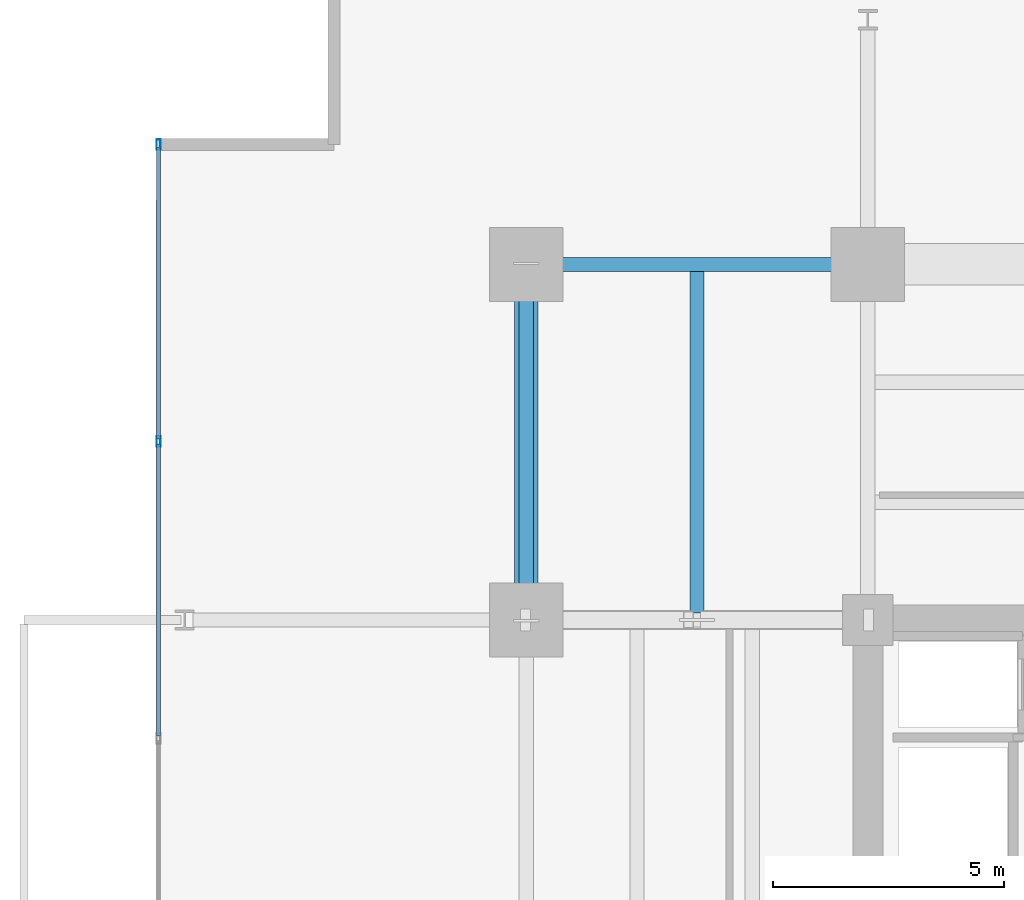
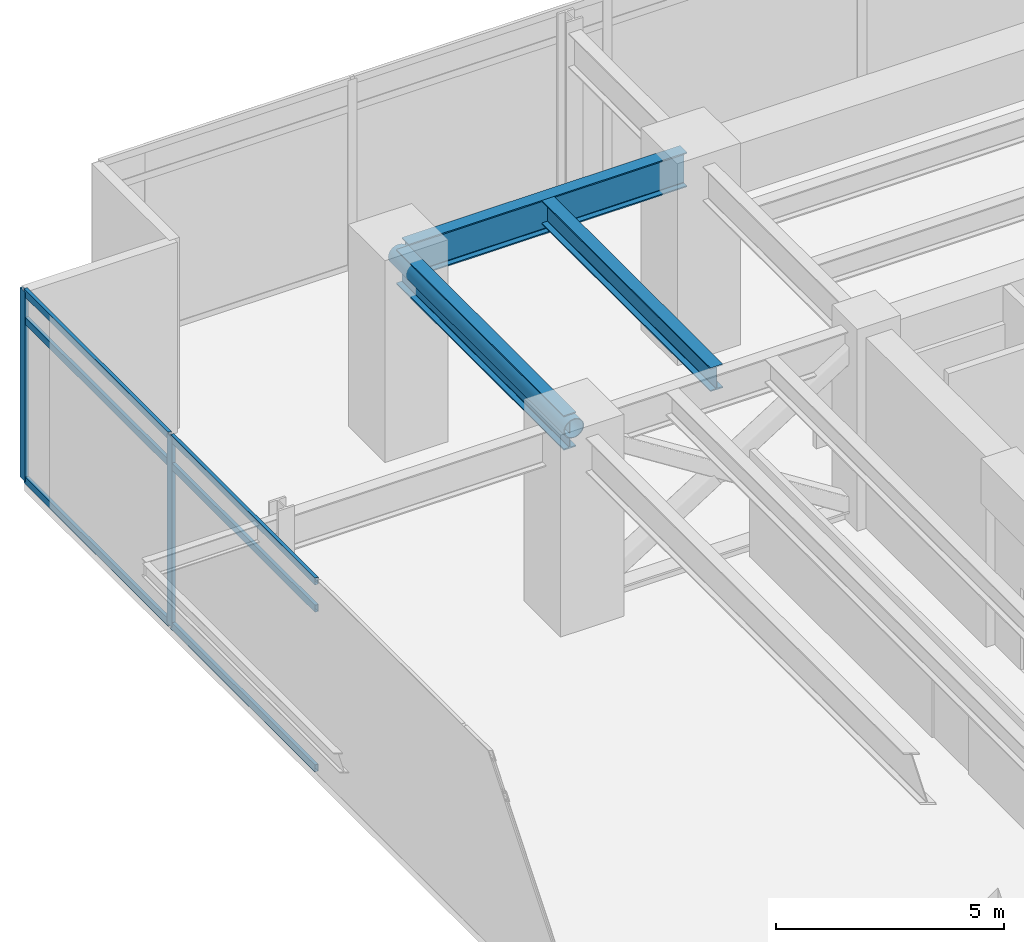
# One storey, part 14 of 26: 9 members, 3 beams, 1 element without a shape of its own.
"""IFC4 building model written with IfcOpenShell, lengths in metres."""

from ifc_helpers import new_model, si_unit, direction, frame, origin, origin_2d, place, context, subcontext, project, spatial, hollow_rectangle, hollow_circle, i_section, extrude, material, material_profile, profile_set, type_object, element, aggregate, save


model = new_model("IFC4")

# Units and contexts
model_context = context("Model", 3, precision=1e-05, world=origin(), true_north=direction((0.0, 1.0)))
body_context = subcontext(model_context, "Body", "Model", "MODEL_VIEW")
ifc_project = project(units=[si_unit("LENGTHUNIT", "METRE"), si_unit("AREAUNIT", "SQUARE_METRE"), si_unit("VOLUMEUNIT", "CUBIC_METRE"), si_unit("PLANEANGLEUNIT", "RADIAN"), si_unit("MASSUNIT", "GRAM", prefix="KILO")], contexts=[model_context])

# Site, building, storey
site_placement = place(None, origin())
site = spatial("IfcSite", under=ifc_project, at=site_placement, CompositionType="ELEMENT")
building_placement = place(site_placement, origin())
building = spatial("IfcBuilding", under=site, at=building_placement, Name="Kovane Verandah Tower", CompositionType="ELEMENT")
storey_placement = place(building_placement, frame((0.0, 0.0, 113.0)))
storey = spatial("IfcBuildingStorey", under=building, at=storey_placement, Name="L26", CompositionType="ELEMENT", Elevation=113.0)

# Beams
ifc_material_1 = material(Name="Steel S460", Category="steel")
ifc_material_profile_1 = material_profile(ifc_material_1, i_section(OverallWidth=0.311279296875, OverallDepth=0.6357421875, WebThickness=0.018310546875, FlangeThickness=0.031494140625, FilletRadius=0.0166015625, at=origin_2d()), Name="UB610x305x238")
ifc_profile_set_1 = profile_set([ifc_material_profile_1], Name="Steel S460")
beam_type_1 = type_object("IfcBeamType", Name="BM-UB610x238", PredefinedType="BEAM", material=ifc_profile_set_1)
beam_1_placement = place(storey_placement, frame((25.300048828125, 36.65185546875, 4.781982421875), z_axis=(0.0, 1.0, 0.0), x_axis=(-1.0, 0.0, 0.0)))
element("IfcBeam", 1, at=beam_1_placement, inside=storey, type_object=beam_type_1, Name="L26 Secondary Composite Joist J-NW1", PredefinedType="BEAM", context=body_context, shape_type="SweptSolid", body=[
    extrude(i_section(OverallWidth=0.311279296875, OverallDepth=0.6357421875, WebThickness=0.018310546875, FlangeThickness=0.031494140625, FilletRadius=0.0166015625, at=origin_2d()), origin(), (0.0, 0.0, 1.0), 7.396240234375),
])
ifc_material_profile_2 = material_profile(ifc_material_1, i_section(OverallWidth=0.3076171875, OverallDepth=0.926513671875, WebThickness=0.01953125, FlangeThickness=0.031982421875, FilletRadius=0.01904296875, at=origin_2d()), Name="UB914x305x289")
ifc_profile_set_2 = profile_set([ifc_material_profile_2], Name="Steel S460")
beam_type_2 = type_object("IfcBeamType", Name="BM-UB914x289", PredefinedType="BEAM", material=ifc_profile_set_2)
beam_2_placement = place(storey_placement, frame((21.780029296875, 44.199951171875, 4.63671875), z_axis=(1.0, 0.0, 0.0), x_axis=(0.0, 1.0, 0.0)))
element("IfcBeam", 2, at=beam_2_placement, inside=storey, type_object=beam_type_2, Name="L26 Primary Tower Girder G-RN1", PredefinedType="BEAM", context=body_context, shape_type="SweptSolid", body=[
    extrude(i_section(OverallWidth=0.3076171875, OverallDepth=0.926513671875, WebThickness=0.01953125, FlangeThickness=0.031982421875, FilletRadius=0.01904296875, at=origin_2d()), origin(), (0.0, 0.0, 1.0), 7.0400390625),
])
beam_3_placement = place(storey_placement, frame((21.60009765625, 36.679931640625, 4.63671875), z_axis=(0.0, 1.0, 0.0), x_axis=(-1.0, 0.0, 0.0)))
element("IfcBeam", 3, at=beam_3_placement, inside=storey, type_object=beam_type_2, Name="L26 Primary Tower Girder G-RW3", PredefinedType="BEAM", context=body_context, shape_type="SweptSolid", body=[
    extrude(i_section(OverallWidth=0.3076171875, OverallDepth=0.926513671875, WebThickness=0.01953125, FlangeThickness=0.031982421875, FilletRadius=0.01904296875, at=origin_2d()), origin(), (0.0, 0.0, 1.0), 7.340087890625),
])

# Curtain wall, members
ifc_material_2 = material(Name="Champagne Anodised Aluminium Frame with Low-E Clear Laminated Glass", Category="aluminium")
curtain_wall_type = type_object("IfcCurtainWallType", Name="CW-SYS-02-LOW", PredefinedType="NOTDEFINED", material=ifc_material_2)
curtain_wall_placement = place(storey_placement, origin())
curtain_wall = element("IfcCurtainWall", 4, at=curtain_wall_placement, inside=storey, type_object=curtain_wall_type, Name="L26 W Unitised Curtain Wall", PredefinedType="NOTDEFINED")
ifc_material_3 = material(Name="Champagne Anodised Aluminium 6063-T6", Category="aluminium")
ifc_material_profile_3 = material_profile(ifc_material_3, hollow_rectangle(XDim=0.0849609375, YDim=0.22998046875, WallThickness=0.00390625, at=origin_2d()), Name="AL85x230x4")
ifc_profile_set_3 = profile_set([ifc_material_profile_3], Name="Champagne Anodised Aluminium 6063-T6")
member_type_1 = type_object("IfcMemberType", Name="CW-MUL-85x230", PredefinedType="MULLION", material=ifc_profile_set_3)
member_1_placement = place(storey_placement, frame((13.635986328125, 46.794921875, 0.02001953125), z_axis=(0.0, 0.0, 1.0), x_axis=(-1.0, 0.0, 0.0)))
member_1 = element("IfcMember", 5, at=member_1_placement, type_object=member_type_1, Name="L26 W Unitised Curtain Wall Mullion 1", PredefinedType="MULLION", context=body_context, shape_type="SweptSolid", body=[
    extrude(hollow_rectangle(XDim=0.0849609375, YDim=0.22998046875, WallThickness=0.00390625, at=origin_2d()), origin(), (0.0, 0.0, 1.0), 5.06005859375),
])
member_2_placement = place(storey_placement, frame((13.635986328125, 40.36328125, 0.02001953125), z_axis=(0.0, 0.0, 1.0), x_axis=(-1.0, 0.0, 0.0)))
member_2 = element("IfcMember", 6, at=member_2_placement, type_object=member_type_1, Name="L26 W Unitised Curtain Wall Mullion 2", PredefinedType="MULLION", context=body_context, shape_type="SweptSolid", body=[
    extrude(hollow_rectangle(XDim=0.0849609375, YDim=0.22998046875, WallThickness=0.00390625, at=origin_2d()), origin(), (0.0, 0.0, 1.0), 5.06005859375),
])
ifc_material_profile_4 = material_profile(ifc_material_3, hollow_rectangle(XDim=0.0849609375, YDim=0.18994140625, WallThickness=0.00390625, at=origin_2d()), Name="AL85x190x4")
ifc_profile_set_4 = profile_set([ifc_material_profile_4], Name="Champagne Anodised Aluminium 6063-T6")
member_type_2 = type_object("IfcMemberType", Name="CW-TRN-85x190", PredefinedType="USERDEFINED", material=ifc_profile_set_4)
member_3_placement = place(storey_placement, frame((13.635986328125, 46.744873046875, 0.050048828125), z_axis=(0.0, -1.0, 0.0), x_axis=(1.0, 0.0, 0.0)))
member_3 = element("IfcMember", 7, at=member_3_placement, type_object=member_type_2, Name="L26 W Unitised Curtain Wall Transom TB Bay 1", ObjectType="TRANSOM", PredefinedType="USERDEFINED", context=body_context, shape_type="SweptSolid", body=[
    extrude(hollow_rectangle(XDim=0.0849609375, YDim=0.18994140625, WallThickness=0.00390625, at=origin_2d()), origin(), (0.0, 0.0, 1.0), 6.33154296875),
])
member_4_placement = place(storey_placement, frame((13.635986328125, 46.744873046875, 4.320068359375), z_axis=(0.0, -1.0, 0.0), x_axis=(1.0, 0.0, 0.0)))
member_4 = element("IfcMember", 8, at=member_4_placement, type_object=member_type_2, Name="L26 W Unitised Curtain Wall Transom TM Bay 1", ObjectType="TRANSOM", PredefinedType="USERDEFINED", context=body_context, shape_type="SweptSolid", body=[
    extrude(hollow_rectangle(XDim=0.0849609375, YDim=0.18994140625, WallThickness=0.00390625, at=origin_2d()), origin(), (0.0, 0.0, 1.0), 6.33154296875),
])
member_5_placement = place(storey_placement, frame((13.635986328125, 46.744873046875, 5.050048828125), z_axis=(0.0, -1.0, 0.0), x_axis=(1.0, 0.0, 0.0)))
member_5 = element("IfcMember", 9, at=member_5_placement, type_object=member_type_2, Name="L26 W Unitised Curtain Wall Transom TT Bay 1", ObjectType="TRANSOM", PredefinedType="USERDEFINED", context=body_context, shape_type="SweptSolid", body=[
    extrude(hollow_rectangle(XDim=0.0849609375, YDim=0.18994140625, WallThickness=0.00390625, at=origin_2d()), origin(), (0.0, 0.0, 1.0), 6.33154296875),
])
member_6_placement = place(storey_placement, frame((13.635986328125, 40.313232421875, 0.050048828125), z_axis=(0.0, -1.0, 0.0), x_axis=(1.0, 0.0, 0.0)))
member_6 = element("IfcMember", 10, at=member_6_placement, type_object=member_type_2, Name="L26 W Unitised Curtain Wall Transom TB Bay 2", ObjectType="TRANSOM", PredefinedType="USERDEFINED", context=body_context, shape_type="SweptSolid", body=[
    extrude(hollow_rectangle(XDim=0.0849609375, YDim=0.18994140625, WallThickness=0.00390625, at=origin_2d()), origin(), (0.0, 0.0, 1.0), 6.33154296875),
])
member_7_placement = place(storey_placement, frame((13.635986328125, 40.313232421875, 4.320068359375), z_axis=(0.0, -1.0, 0.0), x_axis=(1.0, 0.0, 0.0)))
member_7 = element("IfcMember", 11, at=member_7_placement, type_object=member_type_2, Name="L26 W Unitised Curtain Wall Transom TM Bay 2", ObjectType="TRANSOM", PredefinedType="USERDEFINED", context=body_context, shape_type="SweptSolid", body=[
    extrude(hollow_rectangle(XDim=0.0849609375, YDim=0.18994140625, WallThickness=0.00390625, at=origin_2d()), origin(), (0.0, 0.0, 1.0), 6.33154296875),
])
member_8_placement = place(storey_placement, frame((13.635986328125, 40.313232421875, 5.050048828125), z_axis=(0.0, -1.0, 0.0), x_axis=(1.0, 0.0, 0.0)))
member_8 = element("IfcMember", 12, at=member_8_placement, type_object=member_type_2, Name="L26 W Unitised Curtain Wall Transom TT Bay 2", ObjectType="TRANSOM", PredefinedType="USERDEFINED", context=body_context, shape_type="SweptSolid", body=[
    extrude(hollow_rectangle(XDim=0.0849609375, YDim=0.18994140625, WallThickness=0.00390625, at=origin_2d()), origin(), (0.0, 0.0, 1.0), 6.33154296875),
])
aggregate(curtain_wall, [member_1, member_2, member_3, member_4, member_5, member_6, member_7, member_8])

# Member
ifc_material_profile_5 = material_profile(ifc_material_1, hollow_circle(Radius=0.25390625, WallThickness=0.02001953125, at=origin_2d()), Name="CHS508x20")
ifc_profile_set_5 = profile_set([ifc_material_profile_5], Name="Steel S460")
member_type_3 = type_object("IfcMemberType", Name="MEM-BR-CHS508", PredefinedType="BRACE", material=ifc_profile_set_5)
member_9_placement = place(storey_placement, frame((21.60009765625, 36.5, 4.820068359375), z_axis=(0.0, 1.0, 0.0), x_axis=(-1.0, 0.0, 0.0)))
element("IfcMember", 13, at=member_9_placement, inside=storey, type_object=member_type_3, Name="L26 Belt-Truss Ring Chord BW2", PredefinedType="BRACE", context=body_context, shape_type="SweptSolid", body=[
    extrude(hollow_circle(Radius=0.25390625, WallThickness=0.02001953125, at=origin_2d()), origin(), (0.0, 0.0, 1.0), 7.699951171875),
])

save(model, "model.ifc")
